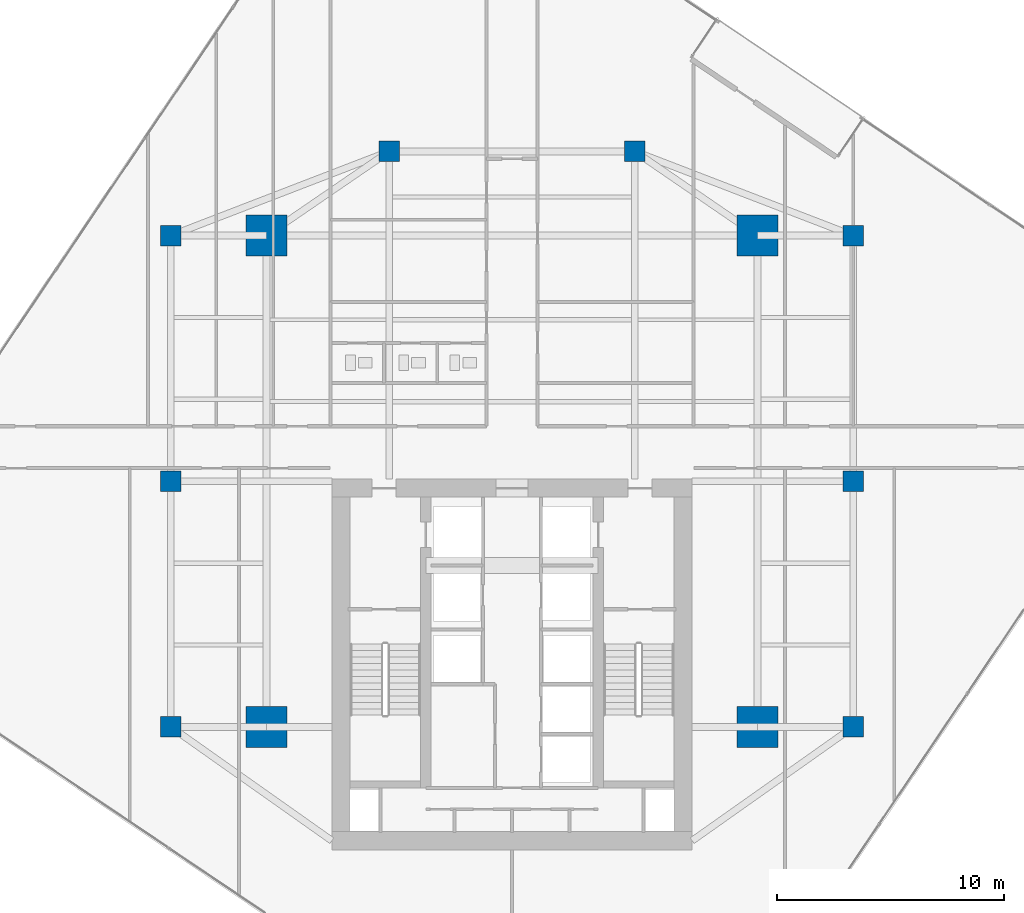
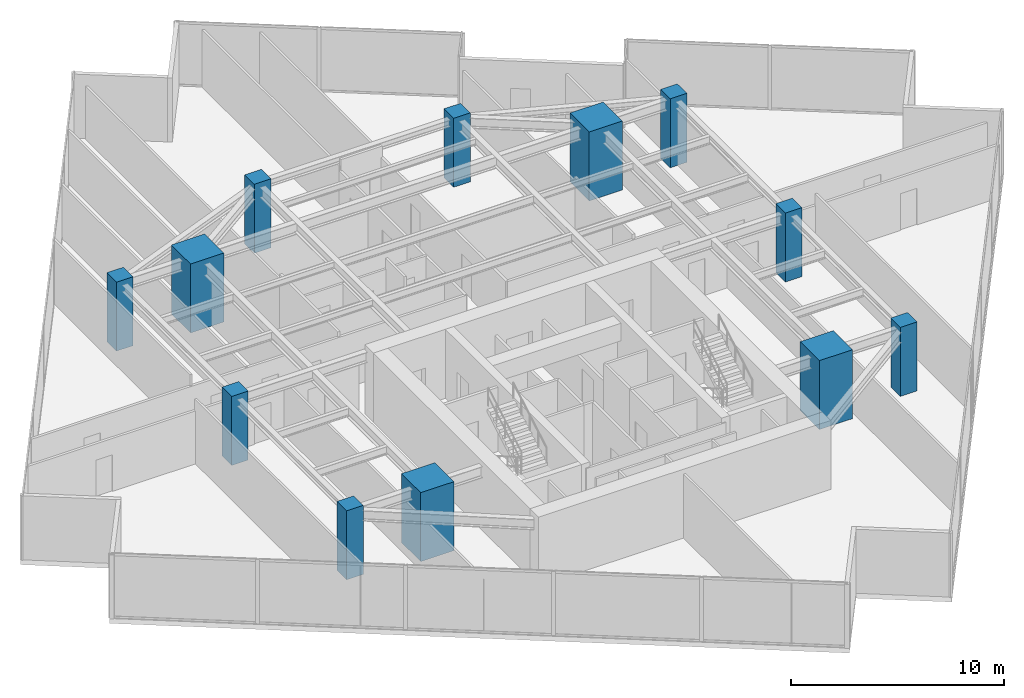
# One storey, part 1 of 27: 12 columns.
"""IFC4 building model written with IfcOpenShell, lengths in metres."""

from ifc_helpers import new_model, si_unit, direction, frame, origin, origin_2d, place, context, subcontext, project, spatial, rectangle, extrude, source, transform, mapped, material, material_profile, profile_set, type_object, type_shapes, element, save


model = new_model("IFC4")

# Units and contexts
model_context = context("Model", 3, precision=1e-05, world=origin(), true_north=direction((0.0, 1.0)))
body_context = subcontext(model_context, "Body", "Model", "MODEL_VIEW")
ifc_project = project(units=[si_unit("LENGTHUNIT", "METRE"), si_unit("AREAUNIT", "SQUARE_METRE"), si_unit("VOLUMEUNIT", "CUBIC_METRE"), si_unit("PLANEANGLEUNIT", "RADIAN"), si_unit("MASSUNIT", "GRAM", prefix="KILO")], contexts=[model_context])

# Site, building, storey
site_placement = place(None, origin())
site = spatial("IfcSite", under=ifc_project, at=site_placement, CompositionType="ELEMENT")
building_placement = place(site_placement, origin())
building = spatial("IfcBuilding", under=site, at=building_placement, Name="Krantzveldt Concourse Tower", CompositionType="ELEMENT")
storey_placement = place(building_placement, frame((0.0, 0.0, 185.699951171875)))
storey = spatial("IfcBuildingStorey", under=building, at=storey_placement, Name="L45", CompositionType="ELEMENT", Elevation=185.699951171875)

# Columns
ifc_material = material(Name="Concrete C50/60", Category="concrete")
ifc_material_profile_1 = material_profile(ifc_material, rectangle(XDim=1.800048828125, YDim=1.800048828125, at=origin_2d()), Name="Concrete C50/60", Category="concrete")
ifc_profile_set_1 = profile_set([ifc_material_profile_1], Name="Concrete C50/60 - RC 1800x1800")
column_type_1 = type_object("IfcColumnType", Name="COL-MC-1800", PredefinedType="USERDEFINED", material=ifc_profile_set_1)
shared_shape_1 = source(origin(), body_context, "Body", "SweptSolid", [
    extrude(rectangle(XDim=1.800048828125, YDim=1.800048828125, at=origin_2d()), origin(), (0.0, 0.0, 1.0), 3.949951171875),
])
type_shapes(column_type_1, [shared_shape_1])
for number, where, z_axis, x_axis, name in (
    (1, (25.199951171875, 15.89990234375, 0.0), (0.0, 0.0, 1.0), (1.0, 0.0, 0.0), "MC-SW-L45"),
    (2, (46.800048828125, 15.89990234375, 0.0), (0.0, 0.0, 1.0), (1.0, 0.0, 0.0), "MC-SE-L45"),
    (3, (46.800048828125, 37.5, 0.0), (0.0, 0.0, 1.0), (1.0, 0.0, 0.0), "MC-NE-L45"),
    (4, (25.199951171875, 37.5, 0.0), (0.0, 0.0, 1.0), (1.0, 0.0, 0.0), "MC-NW-L45"),
):
    element("IfcColumn", number, at=place(storey_placement, frame(where, z_axis=z_axis, x_axis=x_axis)), inside=storey, type_object=column_type_1, Name=name, ObjectType="MEGA COLUMN", PredefinedType="USERDEFINED", context=body_context, shape_type="MappedRepresentation", body=[
        mapped(shared_shape_1, transform((0.0, 0.0, 0.0), x_axis=(1.0, 0.0, 0.0), y_axis=(0.0, 1.0, 0.0), z_axis=(0.0, 0.0, 1.0), scale=1.0)),
    ])
ifc_material_profile_2 = material_profile(ifc_material, rectangle(XDim=0.89990234375, YDim=0.89990234375, at=origin_2d()), Name="Concrete C50/60", Category="concrete")
ifc_profile_set_2 = profile_set([ifc_material_profile_2], Name="Concrete C50/60 - RC 900x900")
column_type_2 = type_object("IfcColumnType", Name="COL-C-Z3", PredefinedType="COLUMN", material=ifc_profile_set_2)
shared_shape_2 = source(origin(), body_context, "Body", "SweptSolid", [
    extrude(rectangle(XDim=0.89990234375, YDim=0.89990234375, at=origin_2d()), origin(), (0.0, 0.0, 1.0), 3.949951171875),
])
type_shapes(column_type_2, [shared_shape_2])
for number, where, z_axis, x_axis, name in (
    (5, (21.0, 15.89990234375, 0.0), (0.0, 0.0, 1.0), (1.0, 0.0, 0.0), "PC-R01-L45"),
    (6, (21.0, 26.699951171875, 0.0), (0.0, 0.0, 1.0), (1.0, 0.0, 0.0), "PC-R02-L45"),
    (7, (21.0, 37.5, 0.0), (0.0, 0.0, 1.0), (1.0, 0.0, 0.0), "PC-R03-L45"),
    (8, (30.60009765625, 41.199951171875, 0.0), (0.0, 0.0, 1.0), (1.0, 0.0, 0.0), "PC-R04-L45"),
    (9, (41.39990234375, 41.199951171875, 0.0), (0.0, 0.0, 1.0), (1.0, 0.0, 0.0), "PC-R05-L45"),
    (10, (51.0, 37.5, 0.0), (0.0, 0.0, 1.0), (1.0, 0.0, 0.0), "PC-R06-L45"),
    (11, (51.0, 26.699951171875, 0.0), (0.0, 0.0, 1.0), (1.0, 0.0, 0.0), "PC-R07-L45"),
    (12, (51.0, 15.89990234375, 0.0), (0.0, 0.0, 1.0), (1.0, 0.0, 0.0), "PC-R08-L45"),
):
    element("IfcColumn", number, at=place(storey_placement, frame(where, z_axis=z_axis, x_axis=x_axis)), inside=storey, type_object=column_type_2, Name=name, PredefinedType="COLUMN", context=body_context, shape_type="MappedRepresentation", body=[
        mapped(shared_shape_2, transform((0.0, 0.0, 0.0), x_axis=(1.0, 0.0, 0.0), y_axis=(0.0, 1.0, 0.0), z_axis=(0.0, 0.0, 1.0), scale=1.0)),
    ])

save(model, "model.ifc")
